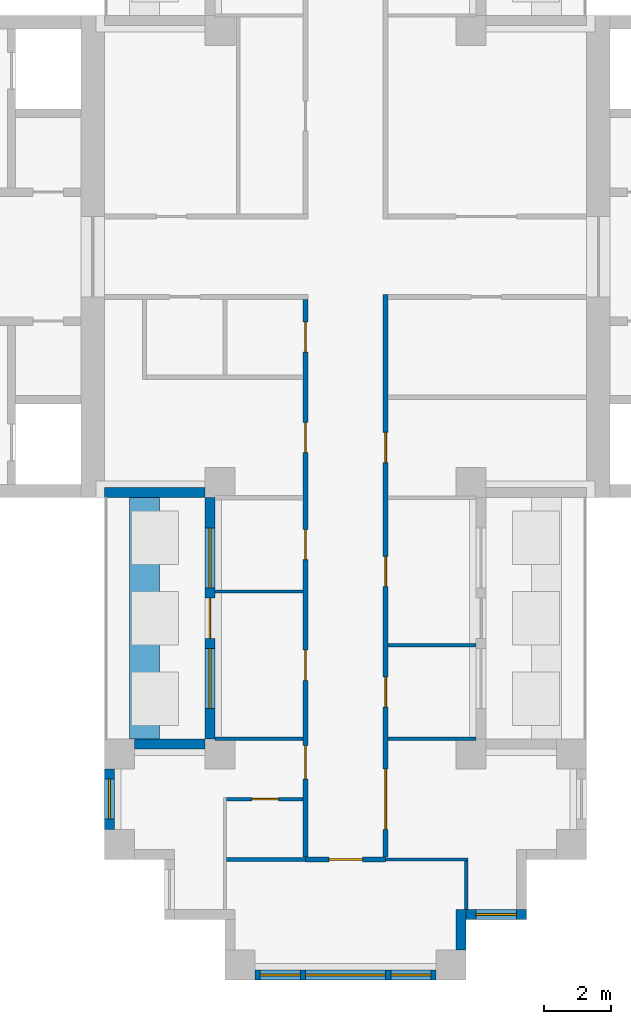
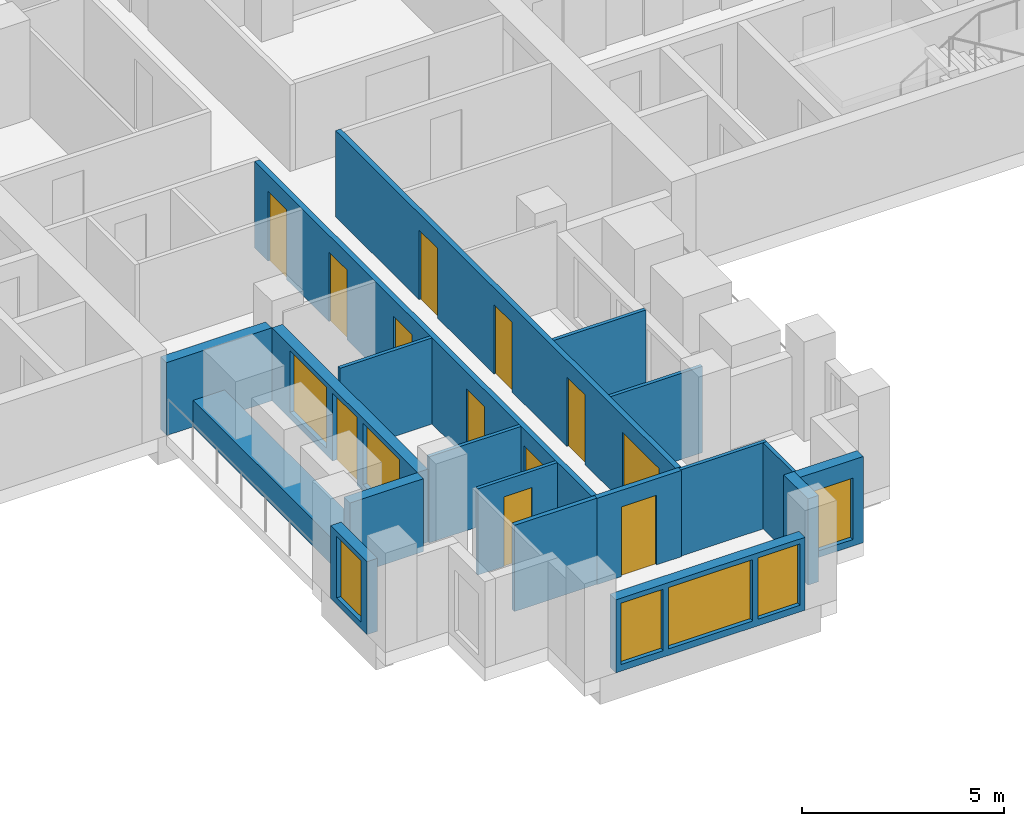
# One storey, part 4 of 11: 19 walls, 12 doors, 7 windows, 19 openings.
"""IFC4 building model written with IfcOpenShell, lengths in metres."""

from ifc_helpers import new_model, si_unit, direction, frame, frame_2d, origin, place, context, subcontext, project, spatial, rectangle, extrude, material, layer, layer_set, type_object, element, fill, save


model = new_model("IFC4")

# Units and contexts
model_context = context("Model", 3, precision=1e-05, world=origin(), true_north=direction((0.0, 1.0)))
body_context = subcontext(model_context, "Body", "Model", "MODEL_VIEW")
ifc_project = project(units=[si_unit("LENGTHUNIT", "METRE"), si_unit("AREAUNIT", "SQUARE_METRE"), si_unit("VOLUMEUNIT", "CUBIC_METRE"), si_unit("PLANEANGLEUNIT", "RADIAN"), si_unit("MASSUNIT", "GRAM", prefix="KILO")], contexts=[model_context])

# Site, building, storey
site_placement = place(None, origin())
site = spatial("IfcSite", under=ifc_project, at=site_placement, CompositionType="ELEMENT")
building_placement = place(site_placement, origin())
building = spatial("IfcBuilding", under=site, at=building_placement, Name="Fustian Cross Tower", CompositionType="ELEMENT")
storey_placement = place(building_placement, frame((0.0, 0.0, 170.699951171875)))
storey = spatial("IfcBuildingStorey", under=building, at=storey_placement, Name="L53", CompositionType="ELEMENT", Elevation=170.699951171875)

# Wall, openings, doors
ifc_material_1 = material(Name="Plasterboard on steel stud", Category="steel")
ifc_layer_1 = layer(ifc_material_1, 0.14990234375)
ifc_layer_set_1 = layer_set([ifc_layer_1], Name="Plasterboard on steel stud")
wall_type_1 = type_object("IfcWallType", Name="COMPARTMENT WALL 150 EI 60", PredefinedType="PARTITIONING", material=ifc_layer_set_1)
wall_1_placement = place(storey_placement, frame((-1.199951171875, -17.925048828125, 0.0), z_axis=(0.0, 0.0, 1.0), x_axis=(0.0, 1.0, 0.0)))
wall_1 = element("IfcWall", 1, at=wall_1_placement, inside=storey, type_object=wall_type_1, Name="Partition 30", PredefinedType="PARTITIONING", context=body_context, shape_type="SweptSolid", body=[
    extrude(rectangle(XDim=16.650146484375, YDim=0.14990234375, at=frame_2d((8.3251953125, 0.0))), origin(), (0.0, 0.0, 1.0), 2.60009765625),
])
opening_1_placement = place(wall_1_placement, frame((15.074951171875, 0.0, 0.0)))
opening_1 = element("IfcOpeningElement", 2, at=opening_1_placement, cuts=wall_1, Name="Opening D25006", PredefinedType="OPENING", context=body_context, shape_type="SweptSolid", body=[
    extrude(rectangle(XDim=0.89990234375, YDim=2.10009765625, at=frame_2d((0.449951171875, 1.050048828125))), frame((0.0, 0.0849609375, 0.0), z_axis=(0.0, -1.0, 0.0), x_axis=(1.0, 0.0, 0.0)), (0.0, 0.0, 1.0), 0.169921875),
])
opening_2_placement = place(wall_1_placement, frame((12.074951171875, 0.0, 0.0)))
opening_2 = element("IfcOpeningElement", 3, at=opening_2_placement, cuts=wall_1, Name="Opening D25008", PredefinedType="OPENING", context=body_context, shape_type="SweptSolid", body=[
    extrude(rectangle(XDim=0.89990234375, YDim=2.10009765625, at=frame_2d((0.449951171875, 1.050048828125))), frame((0.0, 0.0849609375, 0.0), z_axis=(0.0, -1.0, 0.0), x_axis=(1.0, 0.0, 0.0)), (0.0, 0.0, 1.0), 0.169921875),
])
opening_3_placement = place(wall_1_placement, frame((8.875, 0.0, 0.0)))
opening_3 = element("IfcOpeningElement", 4, at=opening_3_placement, cuts=wall_1, Name="Opening D25035", PredefinedType="OPENING", context=body_context, shape_type="SweptSolid", body=[
    extrude(rectangle(XDim=0.89990234375, YDim=2.10009765625, at=frame_2d((0.449951171875, 1.050048828125))), frame((0.0, 0.0849609375, 0.0), z_axis=(0.0, -1.0, 0.0), x_axis=(1.0, 0.0, 0.0)), (0.0, 0.0, 1.0), 0.169921875),
])
opening_4_placement = place(wall_1_placement, frame((5.27490234375, 0.0, 0.0)))
opening_4 = element("IfcOpeningElement", 5, at=opening_4_placement, cuts=wall_1, Name="Opening D25036", PredefinedType="OPENING", context=body_context, shape_type="SweptSolid", body=[
    extrude(rectangle(XDim=0.89990234375, YDim=2.10009765625, at=frame_2d((0.449951171875, 1.050048828125))), frame((0.0, 0.0849609375, 0.0), z_axis=(0.0, -1.0, 0.0), x_axis=(1.0, 0.0, 0.0)), (0.0, 0.0, 1.0), 0.169921875),
])
opening_5_placement = place(wall_1_placement, frame((2.324951171875, 0.0, 0.0)))
opening_5 = element("IfcOpeningElement", 6, at=opening_5_placement, cuts=wall_1, Name="Opening D25038", PredefinedType="OPENING", context=body_context, shape_type="SweptSolid", body=[
    extrude(rectangle(XDim=1.0, YDim=2.10009765625, at=frame_2d((0.5, 1.050048828125))), frame((0.0, 0.0849609375, 0.0), z_axis=(0.0, -1.0, 0.0), x_axis=(1.0, 0.0, 0.0)), (0.0, 0.0, 1.0), 0.169921875),
])
ifc_material_2 = material(Name="Timber fire door set", Category="wood")
door_type_1 = type_object("IfcDoorType", Name="FIRE SWING DOOR 1000 FD30S", OperationType="SINGLE_SWING_LEFT", PredefinedType="DOOR", material=ifc_material_2)
door_1_placement = place(opening_5_placement, origin())
door_1 = element("IfcDoor", 7, at=door_1_placement, inside=storey, type_object=door_type_1, Name="Door D25038", OperationType="SINGLE_SWING_RIGHT", OverallHeight=2.10009765625, OverallWidth=1.0, PredefinedType="DOOR", context=body_context, shape_type="SweptSolid", body=[
    extrude(rectangle(XDim=1.0, YDim=2.10009765625, at=frame_2d((0.5, 1.050048828125))), frame((0.0, 0.02490234375, 0.0), z_axis=(0.0, -1.0, 0.0), x_axis=(1.0, 0.0, 0.0)), (0.0, 0.0, 1.0), 0.050048828125),
])
fill(opening_5, door_1)
ifc_material_3 = material(Name="Timber fire door set", Category="wood")
door_type_2 = type_object("IfcDoorType", Name="FIRE SWING DOOR 900 FD30S", OperationType="SINGLE_SWING_LEFT", PredefinedType="DOOR", material=ifc_material_3)
door_2_placement = place(opening_1_placement, origin())
door_2 = element("IfcDoor", 8, at=door_2_placement, inside=storey, type_object=door_type_2, Name="Door D25006", OperationType="SINGLE_SWING_LEFT", OverallHeight=2.10009765625, OverallWidth=0.89990234375, PredefinedType="DOOR", context=body_context, shape_type="SweptSolid", body=[
    extrude(rectangle(XDim=0.89990234375, YDim=2.10009765625, at=frame_2d((0.449951171875, 1.050048828125))), frame((0.0, 0.02490234375, 0.0), z_axis=(0.0, -1.0, 0.0), x_axis=(1.0, 0.0, 0.0)), (0.0, 0.0, 1.0), 0.050048828125),
])
fill(opening_1, door_2)
door_3_placement = place(opening_2_placement, origin())
door_3 = element("IfcDoor", 9, at=door_3_placement, inside=storey, type_object=door_type_2, Name="Door D25008", OperationType="SINGLE_SWING_LEFT", OverallHeight=2.10009765625, OverallWidth=0.89990234375, PredefinedType="DOOR", context=body_context, shape_type="SweptSolid", body=[
    extrude(rectangle(XDim=0.89990234375, YDim=2.10009765625, at=frame_2d((0.449951171875, 1.050048828125))), frame((0.0, 0.02490234375, 0.0), z_axis=(0.0, -1.0, 0.0), x_axis=(1.0, 0.0, 0.0)), (0.0, 0.0, 1.0), 0.050048828125),
])
fill(opening_2, door_3)
door_4_placement = place(opening_3_placement, origin())
door_4 = element("IfcDoor", 10, at=door_4_placement, inside=storey, type_object=door_type_2, Name="Door D25035", OperationType="SINGLE_SWING_LEFT", OverallHeight=2.10009765625, OverallWidth=0.89990234375, PredefinedType="DOOR", context=body_context, shape_type="SweptSolid", body=[
    extrude(rectangle(XDim=0.89990234375, YDim=2.10009765625, at=frame_2d((0.449951171875, 1.050048828125))), frame((0.0, 0.02490234375, 0.0), z_axis=(0.0, -1.0, 0.0), x_axis=(1.0, 0.0, 0.0)), (0.0, 0.0, 1.0), 0.050048828125),
])
fill(opening_3, door_4)
door_5_placement = place(opening_4_placement, origin())
door_5 = element("IfcDoor", 11, at=door_5_placement, inside=storey, type_object=door_type_2, Name="Door D25036", OperationType="SINGLE_SWING_LEFT", OverallHeight=2.10009765625, OverallWidth=0.89990234375, PredefinedType="DOOR", context=body_context, shape_type="SweptSolid", body=[
    extrude(rectangle(XDim=0.89990234375, YDim=2.10009765625, at=frame_2d((0.449951171875, 1.050048828125))), frame((0.0, 0.02490234375, 0.0), z_axis=(0.0, -1.0, 0.0), x_axis=(1.0, 0.0, 0.0)), (0.0, 0.0, 1.0), 0.050048828125),
])
fill(opening_4, door_5)

# Wall, opening, door
wall_2_placement = place(storey_placement, frame((-1.199951171875, -18.0, 0.0), z_axis=(0.0, 0.0, 1.0), x_axis=(1.0, 0.0, 0.0)))
wall_2 = element("IfcWall", 12, at=wall_2_placement, inside=storey, type_object=wall_type_1, Name="Partition 31", PredefinedType="PARTITIONING", context=body_context, shape_type="SweptSolid", body=[
    extrude(rectangle(XDim=2.39990234375, YDim=0.14990234375, at=frame_2d((1.199951171875, 0.0))), origin(), (0.0, 0.0, 1.0), 2.60009765625),
])
opening_6_placement = place(wall_2_placement, frame((0.699951171875, 0.0, 0.0)))
opening_6 = element("IfcOpeningElement", 13, at=opening_6_placement, cuts=wall_2, Name="Opening D25031", PredefinedType="OPENING", context=body_context, shape_type="SweptSolid", body=[
    extrude(rectangle(XDim=1.0, YDim=2.10009765625, at=frame_2d((0.5, 1.050048828125))), frame((0.0, 0.0849609375, 0.0), z_axis=(0.0, -1.0, 0.0), x_axis=(1.0, 0.0, 0.0)), (0.0, 0.0, 1.0), 0.169921875),
])
door_6_placement = place(opening_6_placement, frame((1.0, 0.0, 0.0), z_axis=(0.0, 0.0, 1.0), x_axis=(-1.0, 0.0, 0.0)))
door_6 = element("IfcDoor", 14, at=door_6_placement, inside=storey, type_object=door_type_1, Name="Door D25031", OperationType="SINGLE_SWING_RIGHT", OverallHeight=2.10009765625, OverallWidth=1.0, PredefinedType="DOOR", context=body_context, shape_type="SweptSolid", body=[
    extrude(rectangle(XDim=1.0, YDim=2.10009765625, at=frame_2d((0.5, 1.050048828125))), frame((0.0, 0.02490234375, 0.0), z_axis=(0.0, -1.0, 0.0), x_axis=(1.0, 0.0, 0.0)), (0.0, 0.0, 1.0), 0.050048828125),
])
fill(opening_6, door_6)

# Wall, openings, doors
wall_3_placement = place(storey_placement, frame((1.199951171875, -17.925048828125, 0.0), z_axis=(0.0, 0.0, 1.0), x_axis=(0.0, 1.0, 0.0)))
wall_3 = element("IfcWall", 15, at=wall_3_placement, inside=storey, type_object=wall_type_1, Name="Partition 34", PredefinedType="PARTITIONING", context=body_context, shape_type="SweptSolid", body=[
    extrude(rectangle(XDim=16.800048828125, YDim=0.14990234375, at=frame_2d((8.39990234375, 0.0))), origin(), (0.0, 0.0, 1.0), 2.60009765625),
])
opening_7_placement = place(wall_3_placement, frame((11.77490234375, 0.0, 0.0)))
opening_7 = element("IfcOpeningElement", 16, at=opening_7_placement, cuts=wall_3, Name="Opening D25005", PredefinedType="OPENING", context=body_context, shape_type="SweptSolid", body=[
    extrude(rectangle(XDim=0.89990234375, YDim=2.10009765625, at=frame_2d((0.449951171875, 1.050048828125))), frame((0.0, 0.0849609375, 0.0), z_axis=(0.0, -1.0, 0.0), x_axis=(1.0, 0.0, 0.0)), (0.0, 0.0, 1.0), 0.169921875),
])
opening_8_placement = place(wall_3_placement, frame((4.47509765625, 0.0, 0.0)))
opening_8 = element("IfcOpeningElement", 17, at=opening_8_placement, cuts=wall_3, Name="Opening D25032", PredefinedType="OPENING", context=body_context, shape_type="SweptSolid", body=[
    extrude(rectangle(XDim=0.89990234375, YDim=2.10009765625, at=frame_2d((0.449951171875, 1.050048828125))), frame((0.0, 0.0849609375, 0.0), z_axis=(0.0, -1.0, 0.0), x_axis=(1.0, 0.0, 0.0)), (0.0, 0.0, 1.0), 0.169921875),
])
opening_9_placement = place(wall_3_placement, frame((8.074951171875, 0.0, 0.0)))
opening_9 = element("IfcOpeningElement", 18, at=opening_9_placement, cuts=wall_3, Name="Opening D25033", PredefinedType="OPENING", context=body_context, shape_type="SweptSolid", body=[
    extrude(rectangle(XDim=0.89990234375, YDim=2.10009765625, at=frame_2d((0.449951171875, 1.050048828125))), frame((0.0, 0.0849609375, 0.0), z_axis=(0.0, -1.0, 0.0), x_axis=(1.0, 0.0, 0.0)), (0.0, 0.0, 1.0), 0.169921875),
])
opening_10_placement = place(wall_3_placement, frame((0.824951171875, 0.0, 0.0)))
opening_10 = element("IfcOpeningElement", 19, at=opening_10_placement, cuts=wall_3, Name="Opening D25034", PredefinedType="OPENING", context=body_context, shape_type="SweptSolid", body=[
    extrude(rectangle(XDim=1.800048828125, YDim=2.10009765625, at=frame_2d((0.89990234375, 1.050048828125))), frame((0.0, 0.0849609375, 0.0), z_axis=(0.0, -1.0, 0.0), x_axis=(1.0, 0.0, 0.0)), (0.0, 0.0, 1.0), 0.169921875),
])
ifc_material_4 = material(Name="Timber fire door set", Category="wood")
door_type_3 = type_object("IfcDoorType", Name="FIRE DOUBLE DOOR 1800 FD30S", OperationType="DOUBLE_DOOR_DOUBLE_SWING", PredefinedType="DOOR", material=ifc_material_4)
door_7_placement = place(opening_10_placement, origin())
door_7 = element("IfcDoor", 20, at=door_7_placement, inside=storey, type_object=door_type_3, Name="Door D25034", OperationType="DOUBLE_DOOR_DOUBLE_SWING", OverallHeight=2.10009765625, OverallWidth=1.800048828125, PredefinedType="DOOR", context=body_context, shape_type="SweptSolid", body=[
    extrude(rectangle(XDim=1.800048828125, YDim=2.10009765625, at=frame_2d((0.89990234375, 1.050048828125))), frame((0.0, 0.02490234375, 0.0), z_axis=(0.0, -1.0, 0.0), x_axis=(1.0, 0.0, 0.0)), (0.0, 0.0, 1.0), 0.050048828125),
])
fill(opening_10, door_7)
door_8_placement = place(opening_7_placement, frame((0.89990234375, 0.0, 0.0), z_axis=(0.0, 0.0, 1.0), x_axis=(-1.0, 0.0, 0.0)))
door_8 = element("IfcDoor", 21, at=door_8_placement, inside=storey, type_object=door_type_2, Name="Door D25005", OperationType="SINGLE_SWING_LEFT", OverallHeight=2.10009765625, OverallWidth=0.89990234375, PredefinedType="DOOR", context=body_context, shape_type="SweptSolid", body=[
    extrude(rectangle(XDim=0.89990234375, YDim=2.10009765625, at=frame_2d((0.449951171875, 1.050048828125))), frame((0.0, 0.02490234375, 0.0), z_axis=(0.0, -1.0, 0.0), x_axis=(1.0, 0.0, 0.0)), (0.0, 0.0, 1.0), 0.050048828125),
])
fill(opening_7, door_8)
door_9_placement = place(opening_8_placement, frame((0.89990234375, 0.0, 0.0), z_axis=(0.0, 0.0, 1.0), x_axis=(-1.0, 0.0, 0.0)))
door_9 = element("IfcDoor", 22, at=door_9_placement, inside=storey, type_object=door_type_2, Name="Door D25032", OperationType="SINGLE_SWING_RIGHT", OverallHeight=2.10009765625, OverallWidth=0.89990234375, PredefinedType="DOOR", context=body_context, shape_type="SweptSolid", body=[
    extrude(rectangle(XDim=0.89990234375, YDim=2.10009765625, at=frame_2d((0.449951171875, 1.050048828125))), frame((0.0, 0.02490234375, 0.0), z_axis=(0.0, -1.0, 0.0), x_axis=(1.0, 0.0, 0.0)), (0.0, 0.0, 1.0), 0.050048828125),
])
fill(opening_8, door_9)
door_10_placement = place(opening_9_placement, frame((0.89990234375, 0.0, 0.0), z_axis=(0.0, 0.0, 1.0), x_axis=(-1.0, 0.0, 0.0)))
door_10 = element("IfcDoor", 23, at=door_10_placement, inside=storey, type_object=door_type_2, Name="Door D25033", OperationType="SINGLE_SWING_RIGHT", OverallHeight=2.10009765625, OverallWidth=0.89990234375, PredefinedType="DOOR", context=body_context, shape_type="SweptSolid", body=[
    extrude(rectangle(XDim=0.89990234375, YDim=2.10009765625, at=frame_2d((0.449951171875, 1.050048828125))), frame((0.0, 0.02490234375, 0.0), z_axis=(0.0, -1.0, 0.0), x_axis=(1.0, 0.0, 0.0)), (0.0, 0.0, 1.0), 0.050048828125),
])
fill(opening_9, door_10)

# Walls
ifc_material_5 = material(Name="Plasterboard on steel stud", Category="steel")
ifc_layer_2 = layer(ifc_material_5, 0.10009765625)
ifc_layer_set_2 = layer_set([ifc_layer_2], Name="Plasterboard on steel stud")
wall_type_2 = type_object("IfcWallType", Name="PARTITION 100 STUD", PredefinedType="PARTITIONING", material=ifc_layer_set_2)
for number, where, z_axis, x_axis, name in (
    (24, (-3.89990234375, -14.39990234375, 0.0), (0.0, 0.0, 1.0), (1.0, 0.0, 0.0), "Partition 17"),
    (25, (-3.89990234375, -10.0, 0.0), (0.0, 0.0, 1.0), (1.0, 0.0, 0.0), "Partition 18"),
):
    element("IfcWall", number, at=place(storey_placement, frame(where, z_axis=z_axis, x_axis=x_axis)), inside=storey, type_object=wall_type_2, Name=name, PredefinedType="PARTITIONING", context=body_context, shape_type="SweptSolid", body=[
        extrude(rectangle(XDim=2.625, YDim=0.10009765625, at=frame_2d((1.3125, 0.0))), origin(), (0.0, 0.0, 1.0), 2.60009765625),
    ])

# Wall, opening, door
wall_4_placement = place(storey_placement, frame((-3.550048828125, -16.199951171875, 0.0), z_axis=(0.0, 0.0, 1.0), x_axis=(1.0, 0.0, 0.0)))
wall_4 = element("IfcWall", 26, at=wall_4_placement, inside=storey, type_object=wall_type_2, Name="Partition 24", PredefinedType="PARTITIONING", context=body_context, shape_type="SweptSolid", body=[
    extrude(rectangle(XDim=2.275146484375, YDim=0.10009765625, at=frame_2d((1.1376953125, 0.0))), origin(), (0.0, 0.0, 1.0), 2.60009765625),
])
opening_11_placement = place(wall_4_placement, frame((0.75, 0.0, 0.0)))
opening_11 = element("IfcOpeningElement", 27, at=opening_11_placement, cuts=wall_4, Name="Opening D25037", PredefinedType="OPENING", context=body_context, shape_type="SweptSolid", body=[
    extrude(rectangle(XDim=0.800048828125, YDim=2.10009765625, at=frame_2d((0.39990234375, 1.050048828125))), frame((0.0, 0.06005859375, 0.0), z_axis=(0.0, -1.0, 0.0), x_axis=(1.0, 0.0, 0.0)), (0.0, 0.0, 1.0), 0.1201171875),
])
ifc_material_6 = material(Name="Painted timber", Category="wood")
door_type_4 = type_object("IfcDoorType", Name="SWING DOOR 800", OperationType="SINGLE_SWING_LEFT", PredefinedType="DOOR", material=ifc_material_6)
door_11_placement = place(opening_11_placement, frame((0.800048828125, 0.0, 0.0), z_axis=(0.0, 0.0, 1.0), x_axis=(-1.0, 0.0, 0.0)))
door_11 = element("IfcDoor", 28, at=door_11_placement, inside=storey, type_object=door_type_4, Name="Door D25037", OperationType="SINGLE_SWING_RIGHT", OverallHeight=2.10009765625, OverallWidth=0.800048828125, PredefinedType="DOOR", context=body_context, shape_type="SweptSolid", body=[
    extrude(rectangle(XDim=0.800048828125, YDim=2.10009765625, at=frame_2d((0.39990234375, 1.050048828125))), frame((0.0, 0.02490234375, 0.0), z_axis=(0.0, -1.0, 0.0), x_axis=(1.0, 0.0, 0.0)), (0.0, 0.0, 1.0), 0.050048828125),
])
fill(opening_11, door_11)

# Walls
wall_5_placement = place(storey_placement, frame((1.199951171875, -18.0, 0.0), z_axis=(0.0, 0.0, 1.0), x_axis=(1.0, 0.0, 0.0)))
element("IfcWall", 29, at=wall_5_placement, inside=storey, type_object=wall_type_2, Name="Partition 35", PredefinedType="PARTITIONING", context=body_context, shape_type="SweptSolid", body=[
    extrude(rectangle(XDim=2.449951171875, YDim=0.10009765625, at=frame_2d((1.22509765625, 0.0))), origin(), (0.0, 0.0, 1.0), 2.60009765625),
])
for number, where, z_axis, x_axis, name in (
    (30, (1.27490234375, -14.39990234375, 0.0), (0.0, 0.0, 1.0), (1.0, 0.0, 0.0), "Partition 36"),
    (31, (1.27490234375, -11.60009765625, 0.0), (0.0, 0.0, 1.0), (1.0, 0.0, 0.0), "Partition 37"),
):
    element("IfcWall", number, at=place(storey_placement, frame(where, z_axis=z_axis, x_axis=x_axis)), inside=storey, type_object=wall_type_2, Name=name, PredefinedType="PARTITIONING", context=body_context, shape_type="SweptSolid", body=[
        extrude(rectangle(XDim=2.625, YDim=0.10009765625, at=frame_2d((1.3125, 0.0))), origin(), (0.0, 0.0, 1.0), 2.60009765625),
    ])
wall_6_placement = place(storey_placement, frame((3.60009765625, -19.5, 0.0), z_axis=(0.0, 0.0, 1.0), x_axis=(0.0, 1.0, 0.0)))
element("IfcWall", 32, at=wall_6_placement, inside=storey, type_object=wall_type_2, Name="Partition 48", PredefinedType="PARTITIONING", context=body_context, shape_type="SweptSolid", body=[
    extrude(rectangle(XDim=1.449951171875, YDim=0.10009765625, at=frame_2d((0.72509765625, 0.0))), origin(), (0.0, 0.0, 1.0), 2.60009765625),
])
ifc_material_7 = material(Name="Concrete C40/50", Category="concrete")
ifc_layer_3 = layer(ifc_material_7, 0.89990234375)
ifc_layer_set_3 = layer_set([ifc_layer_3], Name="Concrete C40/50")
wall_type_3 = type_object("IfcWallType", Name="PK1 PLANTER 900", PredefinedType="PARAPET", material=ifc_layer_set_3)
wall_7_placement = place(storey_placement, frame((-6.0, -14.39990234375, 0.0), z_axis=(0.0, 0.0, 1.0), x_axis=(0.0, 1.0, 0.0)))
element("IfcWall", 33, at=wall_7_placement, inside=storey, type_object=wall_type_3, Name="PLANTER", PredefinedType="PARAPET", context=body_context, shape_type="SweptSolid", body=[
    extrude(rectangle(XDim=7.199951171875, YDim=0.89990234375, at=frame_2d((3.60009765625, 0.0))), origin(), (0.0, 0.0, 1.0), 0.800048828125),
])
ifc_material_8 = material(Name="Plasterboard on steel stud", Category="steel")
ifc_layer_4 = layer(ifc_material_8, 0.125)
ifc_layer_set_4 = layer_set([ifc_layer_4], Name="Plasterboard on steel stud")
wall_type_4 = type_object("IfcWallType", Name="WET WALL 125 STUD", PredefinedType="PARTITIONING", material=ifc_layer_set_4)
wall_8_placement = place(storey_placement, frame((-3.550048828125, -18.0, 0.0), z_axis=(0.0, 0.0, 1.0), x_axis=(1.0, 0.0, 0.0)))
element("IfcWall", 34, at=wall_8_placement, inside=storey, type_object=wall_type_4, Name="Partition 23", PredefinedType="PARTITIONING", context=body_context, shape_type="SweptSolid", body=[
    extrude(rectangle(XDim=2.35009765625, YDim=0.125, at=frame_2d((1.175048828125, 0.0))), origin(), (0.0, 0.0, 1.0), 2.60009765625),
])
ifc_material_9 = material(Name="Dark aluminium cladding on insulated backing wall", Category="aluminium")
ifc_layer_5 = layer(ifc_material_9, 0.300048828125)
ifc_layer_set_5 = layer_set([ifc_layer_5], Name="Dark aluminium cladding on insulated backing wall")
wall_type_5 = type_object("IfcWallType", Name="XW1 EXTERNAL WALL 300", PredefinedType="SOLIDWALL", material=ifc_layer_set_5)
wall_9_placement = place(storey_placement, frame((-7.199951171875, -7.050048828125, 0.0), z_axis=(0.0, 0.0, 1.0), x_axis=(1.0, 0.0, 0.0)))
element("IfcWall", 35, at=wall_9_placement, inside=storey, type_object=wall_type_5, Name="External wall", PredefinedType="SOLIDWALL", context=body_context, shape_type="SweptSolid", body=[
    extrude(rectangle(XDim=3.0, YDim=0.300048828125, at=frame_2d((1.5, 0.0))), origin(), (0.0, 0.0, 1.0), 2.199951171875),
])

# Wall, openings, door, windows
wall_10_placement = place(storey_placement, frame((-4.050048828125, -7.199951171875, 0.0), z_axis=(0.0, 0.0, 1.0), x_axis=(0.0, -1.0, 0.0)))
wall_10 = element("IfcWall", 36, at=wall_10_placement, inside=storey, type_object=wall_type_5, Name="External wall", PredefinedType="SOLIDWALL", context=body_context, shape_type="SweptSolid", body=[
    extrude(rectangle(XDim=7.199951171875, YDim=0.300048828125, at=frame_2d((3.60009765625, 0.0))), origin(), (0.0, 0.0, 1.0), 2.199951171875),
])
opening_12_placement = place(wall_10_placement, frame((3.0, 0.0, 0.0)))
opening_12 = element("IfcOpeningElement", 37, at=opening_12_placement, cuts=wall_10, Name="Opening XD4", PredefinedType="OPENING", context=body_context, shape_type="SweptSolid", body=[
    extrude(rectangle(XDim=1.199951171875, YDim=2.050048828125, at=frame_2d((0.60009765625, 1.02490234375))), frame((0.0, 0.159912109375, 0.0), z_axis=(0.0, -1.0, 0.0), x_axis=(1.0, 0.0, 0.0)), (0.0, 0.0, 1.0), 0.320068359375),
])
opening_13_placement = place(wall_10_placement, frame((0.89990234375, 0.0, 0.199951171875)))
opening_13 = element("IfcOpeningElement", 38, at=opening_13_placement, cuts=wall_10, Name="Opening WN2", PredefinedType="OPENING", context=body_context, shape_type="SweptSolid", body=[
    extrude(rectangle(XDim=1.800048828125, YDim=1.85009765625, at=frame_2d((0.89990234375, 0.925048828125))), frame((0.0, 0.159912109375, 0.0), z_axis=(0.0, -1.0, 0.0), x_axis=(1.0, 0.0, 0.0)), (0.0, 0.0, 1.0), 0.320068359375),
])
opening_14_placement = place(wall_10_placement, frame((4.5, 0.0, 0.199951171875)))
opening_14 = element("IfcOpeningElement", 39, at=opening_14_placement, cuts=wall_10, Name="Opening WN2", PredefinedType="OPENING", context=body_context, shape_type="SweptSolid", body=[
    extrude(rectangle(XDim=1.800048828125, YDim=1.85009765625, at=frame_2d((0.89990234375, 0.925048828125))), frame((0.0, 0.159912109375, 0.0), z_axis=(0.0, -1.0, 0.0), x_axis=(1.0, 0.0, 0.0)), (0.0, 0.0, 1.0), 0.320068359375),
])
ifc_material_10 = material(Name="Dark anodised aluminium and double glazing", Category="aluminium")
door_type_5 = type_object("IfcDoorType", Name="ED1 BALCONY DOOR 1200X2050", OperationType="SINGLE_SWING_LEFT", PredefinedType="DOOR", material=ifc_material_10)
door_12_placement = place(opening_12_placement, origin())
door_12 = element("IfcDoor", 40, at=door_12_placement, inside=storey, type_object=door_type_5, Name="Balcony door", OperationType="SINGLE_SWING_LEFT", OverallHeight=2.050048828125, OverallWidth=1.199951171875, PredefinedType="DOOR", context=body_context, shape_type="SweptSolid", body=[
    extrude(rectangle(XDim=1.199951171875, YDim=2.050048828125, at=frame_2d((0.60009765625, 1.02490234375))), frame((0.0, 0.02490234375, 0.0), z_axis=(0.0, -1.0, 0.0), x_axis=(1.0, 0.0, 0.0)), (0.0, 0.0, 1.0), 0.050048828125),
])
fill(opening_12, door_12)
ifc_material_11 = material(Name="Dark anodised aluminium and double glazing", Category="aluminium")
window_type_1 = type_object("IfcWindowType", Name="WN2 WINDOW 1800X1850", PartitioningType="SINGLE_PANEL", PredefinedType="WINDOW", material=ifc_material_11)
window_1_placement = place(opening_13_placement, origin())
window_1 = element("IfcWindow", 41, at=window_1_placement, inside=storey, type_object=window_type_1, Name="Window", OverallHeight=1.85009765625, OverallWidth=1.800048828125, PartitioningType="SINGLE_PANEL", PredefinedType="WINDOW", context=body_context, shape_type="SweptSolid", body=[
    extrude(rectangle(XDim=1.800048828125, YDim=1.85009765625, at=frame_2d((0.89990234375, 0.925048828125))), frame((0.0, 0.030029296875, 0.0), z_axis=(0.0, -1.0, 0.0), x_axis=(1.0, 0.0, 0.0)), (0.0, 0.0, 1.0), 0.06005859375),
])
fill(opening_13, window_1)
window_2_placement = place(opening_14_placement, origin())
window_2 = element("IfcWindow", 42, at=window_2_placement, inside=storey, type_object=window_type_1, Name="Window", OverallHeight=1.85009765625, OverallWidth=1.800048828125, PartitioningType="SINGLE_PANEL", PredefinedType="WINDOW", context=body_context, shape_type="SweptSolid", body=[
    extrude(rectangle(XDim=1.800048828125, YDim=1.85009765625, at=frame_2d((0.89990234375, 0.925048828125))), frame((0.0, 0.030029296875, 0.0), z_axis=(0.0, -1.0, 0.0), x_axis=(1.0, 0.0, 0.0)), (0.0, 0.0, 1.0), 0.06005859375),
])
fill(opening_14, window_2)

# Wall
wall_11_placement = place(storey_placement, frame((-4.199951171875, -14.550048828125, 0.0), z_axis=(0.0, 0.0, 1.0), x_axis=(-1.0, 0.0, 0.0)))
element("IfcWall", 43, at=wall_11_placement, inside=storey, type_object=wall_type_5, Name="External wall", PredefinedType="SOLIDWALL", context=body_context, shape_type="SweptSolid", body=[
    extrude(rectangle(XDim=2.10009765625, YDim=0.300048828125, at=frame_2d((1.050048828125, 0.0))), origin(), (0.0, 0.0, 1.0), 2.199951171875),
])

# Wall, opening, window
wall_12_placement = place(storey_placement, frame((-7.050048828125, -15.300048828125, 0.0), z_axis=(0.0, 0.0, 1.0), x_axis=(0.0, -1.0, 0.0)))
wall_12 = element("IfcWall", 44, at=wall_12_placement, inside=storey, type_object=wall_type_5, Name="External wall", PredefinedType="SOLIDWALL", context=body_context, shape_type="SweptSolid", body=[
    extrude(rectangle(XDim=1.800048828125, YDim=0.300048828125, at=frame_2d((0.89990234375, 0.0))), origin(), (0.0, 0.0, 1.0), 2.199951171875),
])
opening_15_placement = place(wall_12_placement, frame((0.300048828125, 0.0, 0.199951171875)))
opening_15 = element("IfcOpeningElement", 45, at=opening_15_placement, cuts=wall_12, Name="Opening WN3", PredefinedType="OPENING", context=body_context, shape_type="SweptSolid", body=[
    extrude(rectangle(XDim=1.199951171875, YDim=1.85009765625, at=frame_2d((0.60009765625, 0.925048828125))), frame((0.0, 0.159912109375, 0.0), z_axis=(0.0, -1.0, 0.0), x_axis=(1.0, 0.0, 0.0)), (0.0, 0.0, 1.0), 0.320068359375),
])
ifc_material_12 = material(Name="Dark anodised aluminium and double glazing", Category="aluminium")
window_type_2 = type_object("IfcWindowType", Name="WN3 WINDOW 1200X1850", PartitioningType="SINGLE_PANEL", PredefinedType="WINDOW", material=ifc_material_12)
window_3_placement = place(opening_15_placement, origin())
window_3 = element("IfcWindow", 46, at=window_3_placement, inside=storey, type_object=window_type_2, Name="Window", OverallHeight=1.85009765625, OverallWidth=1.199951171875, PartitioningType="SINGLE_PANEL", PredefinedType="WINDOW", context=body_context, shape_type="SweptSolid", body=[
    extrude(rectangle(XDim=1.199951171875, YDim=1.85009765625, at=frame_2d((0.60009765625, 0.925048828125))), frame((0.0, 0.030029296875, 0.0), z_axis=(0.0, -1.0, 0.0), x_axis=(1.0, 0.0, 0.0)), (0.0, 0.0, 1.0), 0.06005859375),
])
fill(opening_15, window_3)

# Wall, openings, windows
wall_13_placement = place(storey_placement, frame((-2.699951171875, -21.449951171875, 0.0), z_axis=(0.0, 0.0, 1.0), x_axis=(1.0, 0.0, 0.0)))
wall_13 = element("IfcWall", 47, at=wall_13_placement, inside=storey, type_object=wall_type_5, Name="External wall", PredefinedType="SOLIDWALL", context=body_context, shape_type="SweptSolid", body=[
    extrude(rectangle(XDim=5.39990234375, YDim=0.300048828125, at=frame_2d((2.699951171875, 0.0))), origin(), (0.0, 0.0, 1.0), 2.199951171875),
])
opening_16_placement = place(wall_13_placement, frame((1.5, 0.0, 0.199951171875)))
opening_16 = element("IfcOpeningElement", 48, at=opening_16_placement, cuts=wall_13, Name="Opening WN1", PredefinedType="OPENING", context=body_context, shape_type="SweptSolid", body=[
    extrude(rectangle(XDim=2.39990234375, YDim=1.85009765625, at=frame_2d((1.199951171875, 0.925048828125))), frame((0.0, 0.159912109375, 0.0), z_axis=(0.0, -1.0, 0.0), x_axis=(1.0, 0.0, 0.0)), (0.0, 0.0, 1.0), 0.320068359375),
])
opening_17_placement = place(wall_13_placement, frame((0.14990234375, 0.0, 0.199951171875)))
opening_17 = element("IfcOpeningElement", 49, at=opening_17_placement, cuts=wall_13, Name="Opening WN3", PredefinedType="OPENING", context=body_context, shape_type="SweptSolid", body=[
    extrude(rectangle(XDim=1.199951171875, YDim=1.85009765625, at=frame_2d((0.60009765625, 0.925048828125))), frame((0.0, 0.159912109375, 0.0), z_axis=(0.0, -1.0, 0.0), x_axis=(1.0, 0.0, 0.0)), (0.0, 0.0, 1.0), 0.320068359375),
])
opening_18_placement = place(wall_13_placement, frame((4.050048828125, 0.0, 0.199951171875)))
opening_18 = element("IfcOpeningElement", 50, at=opening_18_placement, cuts=wall_13, Name="Opening WN3", PredefinedType="OPENING", context=body_context, shape_type="SweptSolid", body=[
    extrude(rectangle(XDim=1.199951171875, YDim=1.85009765625, at=frame_2d((0.60009765625, 0.925048828125))), frame((0.0, 0.159912109375, 0.0), z_axis=(0.0, -1.0, 0.0), x_axis=(1.0, 0.0, 0.0)), (0.0, 0.0, 1.0), 0.320068359375),
])
ifc_material_13 = material(Name="Dark anodised aluminium and double glazing", Category="aluminium")
window_type_3 = type_object("IfcWindowType", Name="WN1 WINDOW 2400X1850", PartitioningType="SINGLE_PANEL", PredefinedType="WINDOW", material=ifc_material_13)
window_4_placement = place(opening_16_placement, origin())
window_4 = element("IfcWindow", 51, at=window_4_placement, inside=storey, type_object=window_type_3, Name="Window", OverallHeight=1.85009765625, OverallWidth=2.39990234375, PartitioningType="SINGLE_PANEL", PredefinedType="WINDOW", context=body_context, shape_type="SweptSolid", body=[
    extrude(rectangle(XDim=2.39990234375, YDim=1.85009765625, at=frame_2d((1.199951171875, 0.925048828125))), frame((0.0, 0.030029296875, 0.0), z_axis=(0.0, -1.0, 0.0), x_axis=(1.0, 0.0, 0.0)), (0.0, 0.0, 1.0), 0.06005859375),
])
fill(opening_16, window_4)
window_5_placement = place(opening_17_placement, origin())
window_5 = element("IfcWindow", 52, at=window_5_placement, inside=storey, type_object=window_type_2, Name="Window", OverallHeight=1.85009765625, OverallWidth=1.199951171875, PartitioningType="SINGLE_PANEL", PredefinedType="WINDOW", context=body_context, shape_type="SweptSolid", body=[
    extrude(rectangle(XDim=1.199951171875, YDim=1.85009765625, at=frame_2d((0.60009765625, 0.925048828125))), frame((0.0, 0.030029296875, 0.0), z_axis=(0.0, -1.0, 0.0), x_axis=(1.0, 0.0, 0.0)), (0.0, 0.0, 1.0), 0.06005859375),
])
fill(opening_17, window_5)
window_6_placement = place(opening_18_placement, origin())
window_6 = element("IfcWindow", 53, at=window_6_placement, inside=storey, type_object=window_type_2, Name="Window", OverallHeight=1.85009765625, OverallWidth=1.199951171875, PartitioningType="SINGLE_PANEL", PredefinedType="WINDOW", context=body_context, shape_type="SweptSolid", body=[
    extrude(rectangle(XDim=1.199951171875, YDim=1.85009765625, at=frame_2d((0.60009765625, 0.925048828125))), frame((0.0, 0.030029296875, 0.0), z_axis=(0.0, -1.0, 0.0), x_axis=(1.0, 0.0, 0.0)), (0.0, 0.0, 1.0), 0.06005859375),
])
fill(opening_18, window_6)

# Wall
wall_14_placement = place(storey_placement, frame((3.449951171875, -20.699951171875, 0.0), z_axis=(0.0, 0.0, 1.0), x_axis=(0.0, 1.0, 0.0)))
element("IfcWall", 54, at=wall_14_placement, inside=storey, type_object=wall_type_5, Name="External wall", PredefinedType="SOLIDWALL", context=body_context, shape_type="SweptSolid", body=[
    extrude(rectangle(XDim=1.199951171875, YDim=0.300048828125, at=frame_2d((0.60009765625, 0.0))), origin(), (0.0, 0.0, 1.0), 2.60009765625),
])

# Wall, opening, window
wall_15_placement = place(storey_placement, frame((3.60009765625, -19.64990234375, 0.0), z_axis=(0.0, 0.0, 1.0), x_axis=(1.0, 0.0, 0.0)))
wall_15 = element("IfcWall", 55, at=wall_15_placement, inside=storey, type_object=wall_type_5, Name="External wall", PredefinedType="SOLIDWALL", context=body_context, shape_type="SweptSolid", body=[
    extrude(rectangle(XDim=1.7998046875, YDim=0.300048828125, at=frame_2d((0.89990234375, 0.0))), origin(), (0.0, 0.0, 1.0), 2.60009765625),
])
opening_19_placement = place(wall_15_placement, frame((0.300048828125, 0.0, 0.199951171875)))
opening_19 = element("IfcOpeningElement", 56, at=opening_19_placement, cuts=wall_15, Name="Opening WN3", PredefinedType="OPENING", context=body_context, shape_type="SweptSolid", body=[
    extrude(rectangle(XDim=1.199951171875, YDim=1.85009765625, at=frame_2d((0.60009765625, 0.925048828125))), frame((0.0, 0.159912109375, 0.0), z_axis=(0.0, -1.0, 0.0), x_axis=(1.0, 0.0, 0.0)), (0.0, 0.0, 1.0), 0.320068359375),
])
window_7_placement = place(opening_19_placement, origin())
window_7 = element("IfcWindow", 57, at=window_7_placement, inside=storey, type_object=window_type_2, Name="Window", OverallHeight=1.85009765625, OverallWidth=1.199951171875, PartitioningType="SINGLE_PANEL", PredefinedType="WINDOW", context=body_context, shape_type="SweptSolid", body=[
    extrude(rectangle(XDim=1.199951171875, YDim=1.85009765625, at=frame_2d((0.60009765625, 0.925048828125))), frame((0.0, 0.030029296875, 0.0), z_axis=(0.0, -1.0, 0.0), x_axis=(1.0, 0.0, 0.0)), (0.0, 0.0, 1.0), 0.06005859375),
])
fill(opening_19, window_7)

save(model, "model.ifc")
